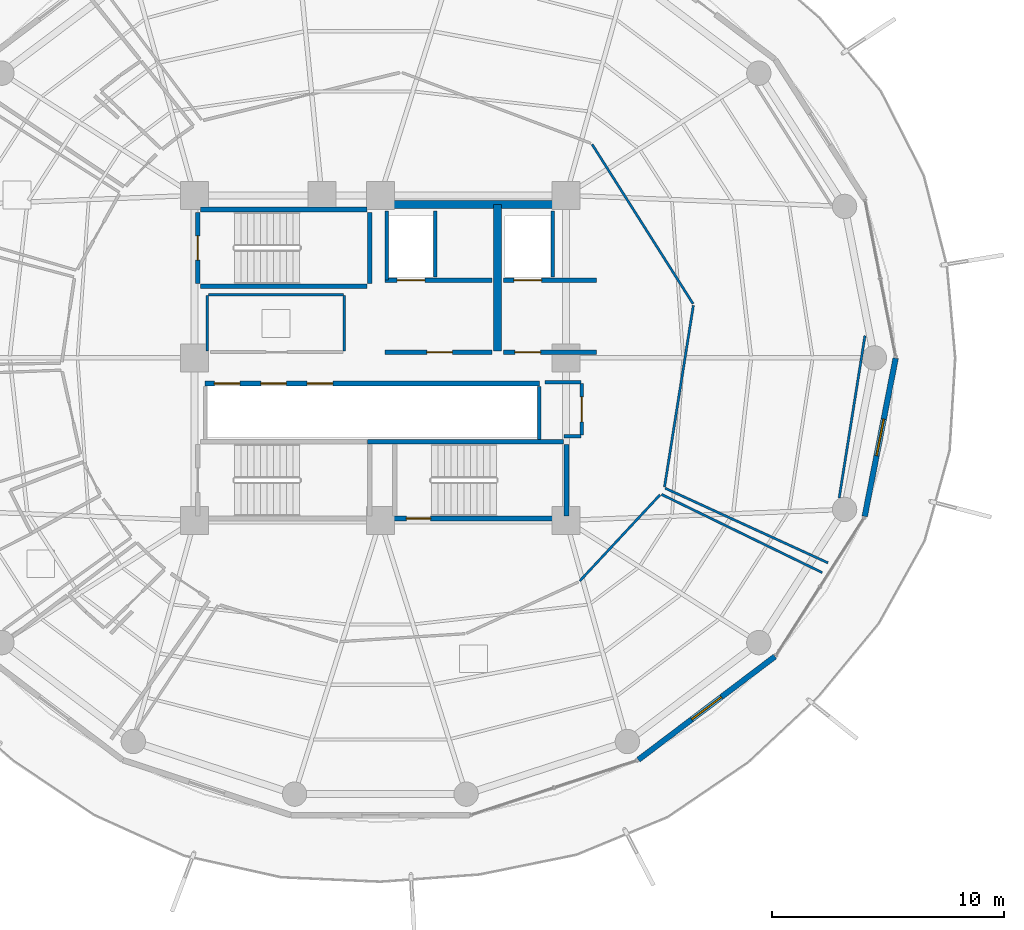
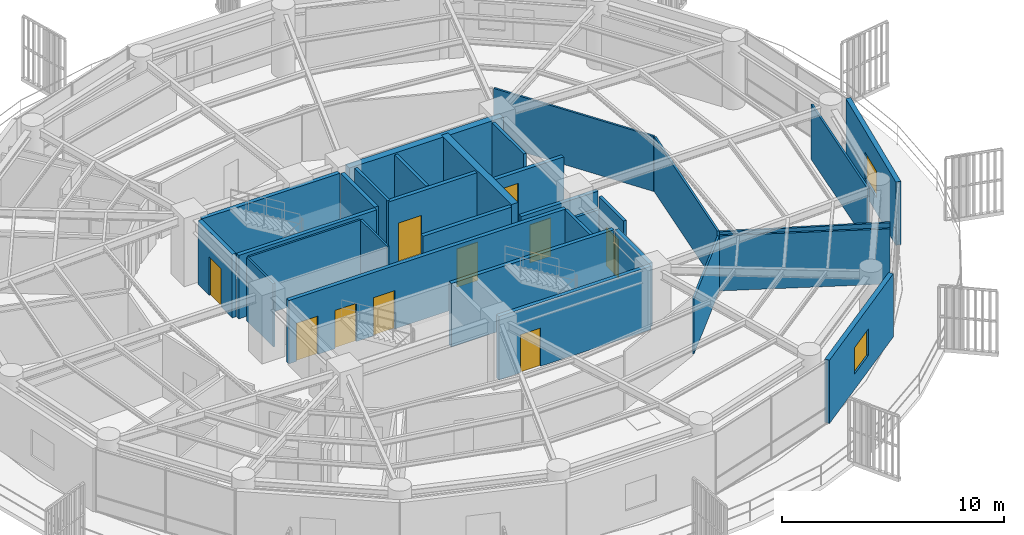
# One storey, part 24 of 30: 32 walls, 10 doors, 2 windows, 12 openings.
"""IFC4 building model written with IfcOpenShell, lengths in metres."""

from ifc_helpers import new_model, si_unit, direction, frame, frame_2d, origin, place, context, subcontext, project, spatial, rectangle, extrude, material, layer, layer_set, type_object, element, fill, save


model = new_model("IFC4")

# Units and contexts
model_context = context("Model", 3, precision=1e-05, world=origin(), true_north=direction((0.0, 1.0)))
body_context = subcontext(model_context, "Body", "Model", "MODEL_VIEW")
ifc_project = project(units=[si_unit("LENGTHUNIT", "METRE"), si_unit("AREAUNIT", "SQUARE_METRE"), si_unit("VOLUMEUNIT", "CUBIC_METRE"), si_unit("PLANEANGLEUNIT", "RADIAN"), si_unit("MASSUNIT", "GRAM", prefix="KILO")], contexts=[model_context])

# Site, building, storey
site_placement = place(None, origin())
site = spatial("IfcSite", under=ifc_project, at=site_placement, CompositionType="ELEMENT")
building_placement = place(site_placement, origin())
building = spatial("IfcBuilding", under=site, at=building_placement, Name="Kelanora Arch Commons", CompositionType="ELEMENT")
storey_placement = place(building_placement, frame((0.0, 0.0, 208.199951171875)))
storey = spatial("IfcBuildingStorey", under=building, at=storey_placement, Name="L53", CompositionType="ELEMENT", Elevation=208.199951171875)

# Walls
ifc_material_1 = material(Name="Autoclaved aerated concrete blockwork with fire plaster", Category="masonry")
ifc_layer_1 = layer(ifc_material_1, 0.14990234375)
ifc_layer_set_1 = layer_set([ifc_layer_1], Name="Autoclaved aerated concrete blockwork with fire plaster")
wall_type_1 = type_object("IfcWallType", Name="W-COMP-150", PredefinedType="PARTITIONING", material=ifc_layer_set_1)
wall_1_placement = place(storey_placement, frame((74.280029296875, 61.35009765625, 0.0), z_axis=(0.0, 0.0, 1.0), x_axis=(0.0, 1.0, 0.0)))
element("IfcWall", 1, at=wall_1_placement, inside=storey, type_object=wall_type_1, Name="Firefighting Lift 1 West Shaft Wall L53", PredefinedType="PARTITIONING", context=body_context, shape_type="SweptSolid", body=[
    extrude(rectangle(XDim=2.969970703125, YDim=0.14990234375, at=frame_2d((1.48486328125, 0.0))), origin(), (0.0, 0.0, 1.0), 3.47998046875),
])
for number, where, z_axis, x_axis, name in (
    (2, (76.360107421875, 61.47998046875, 0.0), (0.0, 0.0, 1.0), (0.0, 1.0, 0.0), "Firefighting Lift 1 East Shaft Wall L53"),
    (3, (81.419921875, 61.47998046875, 0.0), (0.0, 0.0, 1.0), (0.0, 1.0, 0.0), "Firefighting Lift 2 East Shaft Wall L53"),
):
    element("IfcWall", number, at=place(storey_placement, frame(where, z_axis=z_axis, x_axis=x_axis)), inside=storey, type_object=wall_type_1, Name=name, PredefinedType="PARTITIONING", context=body_context, shape_type="SweptSolid", body=[
        extrude(rectangle(XDim=2.840087890625, YDim=0.14990234375, at=frame_2d((1.419921875, 0.0))), origin(), (0.0, 0.0, 1.0), 3.47998046875),
    ])
wall_2_placement = place(storey_placement, frame((80.840087890625, 54.47998046875, 0.0), z_axis=(0.0, 0.0, 1.0), x_axis=(0.0, 1.0, 0.0)))
element("IfcWall", 4, at=wall_2_placement, inside=storey, type_object=wall_type_1, Name="South Lift Bank East Wall L53", PredefinedType="PARTITIONING", context=body_context, shape_type="SweptSolid", body=[
    extrude(rectangle(XDim=2.2900390625, YDim=0.14990234375, at=frame_2d((1.14501953125, 0.0))), origin(), (0.0, 0.0, 1.0), 3.47998046875),
])

# Wall, opening, door
wall_3_placement = place(storey_placement, frame((82.679931640625, 54.679931640625, 0.0), z_axis=(0.0, 0.0, 1.0), x_axis=(0.0, 1.0, 0.0)))
wall_3 = element("IfcWall", 5, at=wall_3_placement, inside=storey, type_object=wall_type_1, Name="Core Housekeeping Store L53 Entry Partition", PredefinedType="PARTITIONING", context=body_context, shape_type="SweptSolid", body=[
    extrude(rectangle(XDim=2.2099609375, YDim=0.14990234375, at=frame_2d((1.10498046875, 0.0))), origin(), (0.0, 0.0, 1.0), 3.47998046875),
])
opening_1_placement = place(wall_3_placement, frame((0.56494140625, 0.0, 0.0)))
opening_1 = element("IfcOpeningElement", 6, at=opening_1_placement, cuts=wall_3, Name="Opening D-PLT1", PredefinedType="OPENING", context=body_context, shape_type="SweptSolid", body=[
    extrude(rectangle(XDim=1.080078125, YDim=2.10009765625, at=frame_2d((0.5400390625, 1.050048828125))), frame((0.0, 0.0849609375, 0.0), z_axis=(0.0, -1.0, 0.0), x_axis=(1.0, 0.0, 0.0)), (0.0, 0.0, 1.0), 0.169921875),
])
ifc_material_2 = material(Name="Galvanised steel plant and riser fire door", Category="steel")
door_type_1 = type_object("IfcDoorType", Name="D-PLT-110", OperationType="NOTDEFINED", PredefinedType="DOOR", material=ifc_material_2)
door_1_placement = place(opening_1_placement, origin())
door_1 = element("IfcDoor", 7, at=door_1_placement, inside=storey, type_object=door_type_1, Name="Core Housekeeping Store L53 Door", OperationType="SINGLE_SWING_LEFT", OverallHeight=2.10009765625, OverallWidth=1.080078125, PredefinedType="DOOR", context=body_context, shape_type="SweptSolid", body=[
    extrude(rectangle(XDim=1.080078125, YDim=2.10009765625, at=frame_2d((0.5400390625, 1.050048828125))), frame((0.0, 0.02490234375, 0.0), z_axis=(0.0, -1.0, 0.0), x_axis=(1.0, 0.0, 0.0)), (0.0, 0.0, 1.0), 0.050048828125),
])
fill(opening_1, door_1)

# Walls
wall_4_placement = place(storey_placement, frame((81.89990234375, 54.6201171875, 0.0), z_axis=(0.0, 0.0, 1.0), x_axis=(1.0, 0.0, 0.0)))
element("IfcWall", 8, at=wall_4_placement, inside=storey, type_object=wall_type_1, Name="Core Housekeeping Store L53 Enclosure Partition 1", PredefinedType="PARTITIONING", context=body_context, shape_type="SweptSolid", body=[
    extrude(rectangle(XDim=0.739990234375, YDim=0.14990234375, at=frame_2d((0.3701171875, 0.0))), origin(), (0.0, 0.0, 1.0), 2.775146484375),
])
wall_5_placement = place(storey_placement, frame((82.639892578125, 56.949951171875, 0.0), z_axis=(0.0, 0.0, 1.0), x_axis=(-1.0, 0.0, 0.0)))
element("IfcWall", 9, at=wall_5_placement, inside=storey, type_object=wall_type_1, Name="Core Housekeeping Store L53 Enclosure Partition 3", PredefinedType="PARTITIONING", context=body_context, shape_type="SweptSolid", body=[
    extrude(rectangle(XDim=1.5498046875, YDim=0.14990234375, at=frame_2d((0.77490234375, 0.0))), origin(), (0.0, 0.0, 1.0), 2.775146484375),
])
ifc_material_3 = material(Name="Concrete C50/60", Category="concrete")
ifc_layer_2 = layer(ifc_material_3, 0.35009765625)
ifc_layer_set_2 = layer_set([ifc_layer_2], Name="Concrete C50/60")
wall_type_2 = type_object("IfcWallType", Name="W-CORE-350", PredefinedType="SHEAR", material=ifc_layer_set_2)
wall_6_placement = place(storey_placement, frame((74.0, 64.60009765625, 0.0), z_axis=(0.0, 0.0, 1.0), x_axis=(1.0, 0.0, 0.0)))
element("IfcWall", 10, at=wall_6_placement, inside=storey, type_object=wall_type_2, Name="Core Shear Spine L53-CN-E", PredefinedType="SHEAR", context=body_context, shape_type="SweptSolid", body=[
    extrude(rectangle(XDim=8.0, YDim=0.35009765625, at=frame_2d((4.0, 0.0))), origin(), (0.0, 0.0, 1.0), 3.489990234375),
])
wall_7_placement = place(storey_placement, frame((79.050048828125, 58.300048828125, 0.0), z_axis=(0.0, 0.0, 1.0), x_axis=(0.0, 1.0, 0.0)))
element("IfcWall", 11, at=wall_7_placement, inside=storey, type_object=wall_type_2, Name="Core Shear Spine L53-CE-N", PredefinedType="SHEAR", context=body_context, shape_type="SweptSolid", body=[
    extrude(rectangle(XDim=6.300048828125, YDim=0.35009765625, at=frame_2d((3.14990234375, 0.0))), origin(), (0.0, 0.0, 1.0), 3.489990234375),
])

# Wall, opening, window
ifc_material_4 = material(Name="Precast concrete C40/50 upper-zone terracotta rainscreen", Category="masonry")
ifc_layer_3 = layer(ifc_material_4, 0.239990234375)
ifc_layer_set_3 = layer_set([ifc_layer_3], Name="Precast concrete C40/50 upper-zone terracotta rainscreen")
wall_type_3 = type_object("IfcWallType", Name="W-EXT-TC2", PredefinedType="SOLIDWALL", material=ifc_layer_set_3)
wall_8_placement = place(storey_placement, frame((85.112060546875, 40.6884765625, 0.0), z_axis=(0.0, 0.0, 1.0), x_axis=(0.797701674595, 0.603052268338, 0.0)))
wall_8 = element("IfcWall", 12, at=wall_8_placement, inside=storey, type_object=wall_type_3, Name="Terracotta Exterior Wall L53-B15", PredefinedType="SOLIDWALL", context=body_context, shape_type="SweptSolid", body=[
    extrude(rectangle(XDim=7.373779296875, YDim=0.239990234375, at=frame_2d((3.68701171875, 0.0))), origin(), (0.0, 0.0, 1.0), 3.47509765625),
])
opening_2_placement = place(wall_8_placement, frame((2.886962890625, 0.0, 0.85009765625)))
opening_2 = element("IfcOpeningElement", 13, at=opening_2_placement, cuts=wall_8, Name="Opening WN-01", PredefinedType="OPENING", context=body_context, shape_type="SweptSolid", body=[
    extrude(rectangle(XDim=1.60009765625, YDim=1.449951171875, at=frame_2d((0.800048828125, 0.72509765625))), frame((0.0, 0.1298828125, 0.0), z_axis=(0.0, -1.0, 0.0), x_axis=(1.0, 0.0, 0.0)), (0.0, 0.0, 1.0), 0.260009765625),
])
ifc_material_5 = material(Name="Terracotta-anodised aluminium frame with operable low-E glazing", Category="masonry")
window_type = type_object("IfcWindowType", Name="WIN-CL-18", PartitioningType="DOUBLE_PANEL_VERTICAL", PredefinedType="WINDOW", material=ifc_material_5)
window_1_placement = place(opening_2_placement, origin())
window_1 = element("IfcWindow", 14, at=window_1_placement, inside=storey, type_object=window_type, Name="Co-Living Operable Window L53-B15", OverallHeight=1.449951171875, OverallWidth=1.60009765625, PartitioningType="SINGLE_PANEL", PredefinedType="WINDOW", context=body_context, shape_type="SweptSolid", body=[
    extrude(rectangle(XDim=1.60009765625, YDim=1.449951171875, at=frame_2d((0.800048828125, 0.72509765625))), frame((0.0, 0.030029296875, 0.0), z_axis=(0.0, -1.0, 0.0), x_axis=(1.0, 0.0, 0.0)), (0.0, 0.0, 1.0), 0.06005859375),
])
fill(opening_2, window_1)

wall_9_placement = place(storey_placement, frame((94.864013671875, 51.17431640625, 0.0), z_axis=(0.0, 0.0, 1.0), x_axis=(0.192069055673, 0.981381413036, 0.0)))
wall_9 = element("IfcWall", 15, at=wall_9_placement, inside=storey, type_object=wall_type_3, Name="Terracotta Exterior Wall L53-B17", PredefinedType="SOLIDWALL", context=body_context, shape_type="SweptSolid", body=[
    extrude(rectangle(XDim=6.940185546875, YDim=0.239990234375, at=frame_2d((3.47021484375, 0.0))), origin(), (0.0, 0.0, 1.0), 3.47509765625),
])
opening_3_placement = place(wall_9_placement, frame((2.669921875, 0.0, 0.85009765625)))
opening_3 = element("IfcOpeningElement", 16, at=opening_3_placement, cuts=wall_9, Name="Opening WN-01", PredefinedType="OPENING", context=body_context, shape_type="SweptSolid", body=[
    extrude(rectangle(XDim=1.60009765625, YDim=1.449951171875, at=frame_2d((0.800048828125, 0.72509765625))), frame((0.0, 0.1298828125, 0.0), z_axis=(0.0, -1.0, 0.0), x_axis=(1.0, 0.0, 0.0)), (0.0, 0.0, 1.0), 0.260009765625),
])
window_2_placement = place(opening_3_placement, origin())
window_2 = element("IfcWindow", 17, at=window_2_placement, inside=storey, type_object=window_type, Name="Co-Living Operable Window L53-B17", OverallHeight=1.449951171875, OverallWidth=1.60009765625, PartitioningType="SINGLE_PANEL", PredefinedType="WINDOW", context=body_context, shape_type="SweptSolid", body=[
    extrude(rectangle(XDim=1.60009765625, YDim=1.449951171875, at=frame_2d((0.800048828125, 0.72509765625))), frame((0.0, 0.030029296875, 0.0), z_axis=(0.0, -1.0, 0.0), x_axis=(1.0, 0.0, 0.0)), (0.0, 0.0, 1.0), 0.06005859375),
])
fill(opening_3, window_2)

# Wall, opening, door
ifc_material_6 = material(Name="Concrete C40/50", Category="concrete")
ifc_layer_4 = layer(ifc_material_6, 0.199951171875)
ifc_layer_set_4 = layer_set([ifc_layer_4], Name="Concrete C40/50")
wall_type_4 = type_object("IfcWallType", Name="W-FFL-200", PredefinedType="SOLIDWALL", material=ifc_layer_set_4)
wall_10_placement = place(storey_placement, frame((74.199951171875, 61.35009765625, 0.0), z_axis=(0.0, 0.0, 1.0), x_axis=(1.0, 0.0, 0.0)))
wall_10 = element("IfcWall", 18, at=wall_10_placement, inside=storey, type_object=wall_type_4, Name="Firefighting Lift 1 Shaft Front L53", PredefinedType="SOLIDWALL", context=body_context, shape_type="SweptSolid", body=[
    extrude(rectangle(XDim=4.60009765625, YDim=0.199951171875, at=frame_2d((2.300048828125, 0.0))), origin(), (0.0, 0.0, 1.0), 3.47998046875),
])
opening_4_placement = place(wall_10_placement, frame((0.52001953125, 0.0, 0.0)))
opening_4 = element("IfcOpeningElement", 19, at=opening_4_placement, cuts=wall_10, Name="Opening LD-FF", PredefinedType="OPENING", context=body_context, shape_type="SweptSolid", body=[
    extrude(rectangle(XDim=1.199951171875, YDim=2.14990234375, at=frame_2d((0.60009765625, 1.074951171875))), frame((0.0, 0.10986328125, 0.0), z_axis=(0.0, -1.0, 0.0), x_axis=(1.0, 0.0, 0.0)), (0.0, 0.0, 1.0), 0.219970703125),
])
ifc_material_7 = material(Name="Fire-rated firefighters lift sliding landing door")
door_type_2 = type_object("IfcDoorType", Name="D-LIFT-FF", OperationType="NOTDEFINED", PredefinedType="DOOR", material=ifc_material_7)
door_2_placement = place(opening_4_placement, origin())
door_2 = element("IfcDoor", 20, at=door_2_placement, inside=storey, type_object=door_type_2, Name="Firefighting Lift LF-FF1 Landing Door L53", OperationType="DOUBLE_DOOR_SLIDING", OverallHeight=2.14990234375, OverallWidth=1.199951171875, PredefinedType="DOOR", context=body_context, shape_type="SweptSolid", body=[
    extrude(rectangle(XDim=1.199951171875, YDim=2.14990234375, at=frame_2d((0.60009765625, 1.074951171875))), frame((0.0, 0.02490234375, 0.0), z_axis=(0.0, -1.0, 0.0), x_axis=(1.0, 0.0, 0.0)), (0.0, 0.0, 1.0), 0.050048828125),
])
fill(opening_4, door_2)

wall_11_placement = place(storey_placement, frame((79.300048828125, 61.35009765625, 0.0), z_axis=(0.0, 0.0, 1.0), x_axis=(1.0, 0.0, 0.0)))
wall_11 = element("IfcWall", 21, at=wall_11_placement, inside=storey, type_object=wall_type_4, Name="Firefighting Lift 2 Shaft Front L53", PredefinedType="SOLIDWALL", context=body_context, shape_type="SweptSolid", body=[
    extrude(rectangle(XDim=4.0, YDim=0.199951171875, at=frame_2d((2.0, 0.0))), origin(), (0.0, 0.0, 1.0), 2.775146484375),
])
opening_5_placement = place(wall_11_placement, frame((0.449951171875, 0.0, 0.0)))
opening_5 = element("IfcOpeningElement", 22, at=opening_5_placement, cuts=wall_11, Name="Opening LD-FF", PredefinedType="OPENING", context=body_context, shape_type="SweptSolid", body=[
    extrude(rectangle(XDim=1.199951171875, YDim=2.14990234375, at=frame_2d((0.60009765625, 1.074951171875))), frame((0.0, 0.10986328125, 0.0), z_axis=(0.0, -1.0, 0.0), x_axis=(1.0, 0.0, 0.0)), (0.0, 0.0, 1.0), 0.219970703125),
])
door_3_placement = place(opening_5_placement, origin())
door_3 = element("IfcDoor", 23, at=door_3_placement, inside=storey, type_object=door_type_2, Name="Firefighting Lift LF-FF2 Landing Door L53", OperationType="DOUBLE_DOOR_SLIDING", OverallHeight=2.14990234375, OverallWidth=1.199951171875, PredefinedType="DOOR", context=body_context, shape_type="SweptSolid", body=[
    extrude(rectangle(XDim=1.199951171875, YDim=2.14990234375, at=frame_2d((0.60009765625, 1.074951171875))), frame((0.0, 0.02490234375, 0.0), z_axis=(0.0, -1.0, 0.0), x_axis=(1.0, 0.0, 0.0)), (0.0, 0.0, 1.0), 0.050048828125),
])
fill(opening_5, door_3)

wall_12_placement = place(storey_placement, frame((74.199951171875, 58.25, 0.0), z_axis=(0.0, 0.0, 1.0), x_axis=(1.0, 0.0, 0.0)))
wall_12 = element("IfcWall", 24, at=wall_12_placement, inside=storey, type_object=wall_type_4, Name="Firefighting Lobby 1 Enclosure Wall L53", PredefinedType="SOLIDWALL", context=body_context, shape_type="SweptSolid", body=[
    extrude(rectangle(XDim=4.60009765625, YDim=0.199951171875, at=frame_2d((2.300048828125, 0.0))), origin(), (0.0, 0.0, 1.0), 3.47998046875),
])
opening_6_placement = place(wall_12_placement, frame((1.800048828125, 0.0, 0.0)))
opening_6 = element("IfcOpeningElement", 25, at=opening_6_placement, cuts=wall_12, Name="Opening D-FFL1", PredefinedType="OPENING", context=body_context, shape_type="SweptSolid", body=[
    extrude(rectangle(XDim=1.10009765625, YDim=2.10009765625, at=frame_2d((0.550048828125, 1.050048828125))), frame((0.0, 0.10986328125, 0.0), z_axis=(0.0, -1.0, 0.0), x_axis=(1.0, 0.0, 0.0)), (0.0, 0.0, 1.0), 0.219970703125),
])
ifc_material_8 = material(Name="Smoke-sealed firefighting lobby fire door")
door_type_3 = type_object("IfcDoorType", Name="D-FFL-110", OperationType="NOTDEFINED", PredefinedType="DOOR", material=ifc_material_8)
door_4_placement = place(opening_6_placement, frame((1.10009765625, 0.0, 0.0), z_axis=(0.0, 0.0, 1.0), x_axis=(-1.0, 0.0, 0.0)))
door_4 = element("IfcDoor", 26, at=door_4_placement, inside=storey, type_object=door_type_3, Name="Firefighting Lobby 1 Door L53", OperationType="SINGLE_SWING_LEFT", OverallHeight=2.10009765625, OverallWidth=1.10009765625, PredefinedType="DOOR", context=body_context, shape_type="SweptSolid", body=[
    extrude(rectangle(XDim=1.10009765625, YDim=2.10009765625, at=frame_2d((0.550048828125, 1.050048828125))), frame((0.0, 0.02490234375, 0.0), z_axis=(0.0, -1.0, 0.0), x_axis=(1.0, 0.0, 0.0)), (0.0, 0.0, 1.0), 0.050048828125),
])
fill(opening_6, door_4)

wall_13_placement = place(storey_placement, frame((79.300048828125, 58.25, 0.0), z_axis=(0.0, 0.0, 1.0), x_axis=(1.0, 0.0, 0.0)))
wall_13 = element("IfcWall", 27, at=wall_13_placement, inside=storey, type_object=wall_type_4, Name="Firefighting Lobby 2 Enclosure Wall L53", PredefinedType="SOLIDWALL", context=body_context, shape_type="SweptSolid", body=[
    extrude(rectangle(XDim=4.0, YDim=0.199951171875, at=frame_2d((2.0, 0.0))), origin(), (0.0, 0.0, 1.0), 2.775146484375),
])
opening_7_placement = place(wall_13_placement, frame((0.5, 0.0, 0.0)))
opening_7 = element("IfcOpeningElement", 28, at=opening_7_placement, cuts=wall_13, Name="Opening D-FFL1", PredefinedType="OPENING", context=body_context, shape_type="SweptSolid", body=[
    extrude(rectangle(XDim=1.10009765625, YDim=2.10009765625, at=frame_2d((0.550048828125, 1.050048828125))), frame((0.0, 0.10986328125, 0.0), z_axis=(0.0, -1.0, 0.0), x_axis=(1.0, 0.0, 0.0)), (0.0, 0.0, 1.0), 0.219970703125),
])
door_5_placement = place(opening_7_placement, frame((1.10009765625, 0.0, 0.0), z_axis=(0.0, 0.0, 1.0), x_axis=(-1.0, 0.0, 0.0)))
door_5 = element("IfcDoor", 29, at=door_5_placement, inside=storey, type_object=door_type_3, Name="Firefighting Lobby 2 Door L53", OperationType="SINGLE_SWING_RIGHT", OverallHeight=2.10009765625, OverallWidth=1.10009765625, PredefinedType="DOOR", context=body_context, shape_type="SweptSolid", body=[
    extrude(rectangle(XDim=1.10009765625, YDim=2.10009765625, at=frame_2d((0.550048828125, 1.050048828125))), frame((0.0, 0.02490234375, 0.0), z_axis=(0.0, -1.0, 0.0), x_axis=(1.0, 0.0, 0.0)), (0.0, 0.0, 1.0), 0.050048828125),
])
fill(opening_7, door_5)

# Wall, openings, doors
wall_14_placement = place(storey_placement, frame((66.449951171875, 56.89990234375, 0.0), z_axis=(0.0, 0.0, 1.0), x_axis=(1.0, 0.0, 0.0)))
wall_14 = element("IfcWall", 30, at=wall_14_placement, inside=storey, type_object=wall_type_4, Name="Mid/High/Express Lift Shaft Front L53", PredefinedType="SOLIDWALL", context=body_context, shape_type="SweptSolid", body=[
    extrude(rectangle(XDim=14.400146484375, YDim=0.199951171875, at=frame_2d((7.2001953125, 0.0))), origin(), (0.0, 0.0, 1.0), 3.47998046875),
])
opening_8_placement = place(wall_14_placement, frame((0.39990234375, 0.0, 0.0)))
opening_8 = element("IfcOpeningElement", 31, at=opening_8_placement, cuts=wall_14, Name="Opening LD-01", PredefinedType="OPENING", context=body_context, shape_type="SweptSolid", body=[
    extrude(rectangle(XDim=1.10009765625, YDim=2.10009765625, at=frame_2d((0.550048828125, 1.050048828125))), frame((0.0, 0.10986328125, 0.0), z_axis=(0.0, -1.0, 0.0), x_axis=(1.0, 0.0, 0.0)), (0.0, 0.0, 1.0), 0.219970703125),
])
opening_9_placement = place(wall_14_placement, frame((2.39990234375, 0.0, 0.0)))
opening_9 = element("IfcOpeningElement", 32, at=opening_9_placement, cuts=wall_14, Name="Opening LD-01", PredefinedType="OPENING", context=body_context, shape_type="SweptSolid", body=[
    extrude(rectangle(XDim=1.10009765625, YDim=2.10009765625, at=frame_2d((0.550048828125, 1.050048828125))), frame((0.0, 0.10986328125, 0.0), z_axis=(0.0, -1.0, 0.0), x_axis=(1.0, 0.0, 0.0)), (0.0, 0.0, 1.0), 0.219970703125),
])
opening_10_placement = place(wall_14_placement, frame((4.39990234375, 0.0, 0.0)))
opening_10 = element("IfcOpeningElement", 33, at=opening_10_placement, cuts=wall_14, Name="Opening LD-01", PredefinedType="OPENING", context=body_context, shape_type="SweptSolid", body=[
    extrude(rectangle(XDim=1.10009765625, YDim=2.10009765625, at=frame_2d((0.550048828125, 1.050048828125))), frame((0.0, 0.10986328125, 0.0), z_axis=(0.0, -1.0, 0.0), x_axis=(1.0, 0.0, 0.0)), (0.0, 0.0, 1.0), 0.219970703125),
])
ifc_material_9 = material(Name="Stainless steel passenger lift sliding landing door", Category="steel")
door_type_4 = type_object("IfcDoorType", Name="D-LIFT-110", OperationType="NOTDEFINED", PredefinedType="DOOR", material=ifc_material_9)
door_6_placement = place(opening_8_placement, origin())
door_6 = element("IfcDoor", 34, at=door_6_placement, inside=storey, type_object=door_type_4, Name="Passenger Lift LF-P4 Landing Door L53", OperationType="DOUBLE_DOOR_SLIDING", OverallHeight=2.10009765625, OverallWidth=1.10009765625, PredefinedType="DOOR", context=body_context, shape_type="SweptSolid", body=[
    extrude(rectangle(XDim=1.10009765625, YDim=2.10009765625, at=frame_2d((0.550048828125, 1.050048828125))), frame((0.0, 0.02490234375, 0.0), z_axis=(0.0, -1.0, 0.0), x_axis=(1.0, 0.0, 0.0)), (0.0, 0.0, 1.0), 0.050048828125),
])
fill(opening_8, door_6)
door_7_placement = place(opening_9_placement, origin())
door_7 = element("IfcDoor", 35, at=door_7_placement, inside=storey, type_object=door_type_4, Name="Passenger Lift LF-P5 Landing Door L53", OperationType="DOUBLE_DOOR_SLIDING", OverallHeight=2.10009765625, OverallWidth=1.10009765625, PredefinedType="DOOR", context=body_context, shape_type="SweptSolid", body=[
    extrude(rectangle(XDim=1.10009765625, YDim=2.10009765625, at=frame_2d((0.550048828125, 1.050048828125))), frame((0.0, 0.02490234375, 0.0), z_axis=(0.0, -1.0, 0.0), x_axis=(1.0, 0.0, 0.0)), (0.0, 0.0, 1.0), 0.050048828125),
])
fill(opening_9, door_7)
door_8_placement = place(opening_10_placement, origin())
door_8 = element("IfcDoor", 36, at=door_8_placement, inside=storey, type_object=door_type_4, Name="Passenger Lift LF-P6 Landing Door L53", OperationType="DOUBLE_DOOR_SLIDING", OverallHeight=2.10009765625, OverallWidth=1.10009765625, PredefinedType="DOOR", context=body_context, shape_type="SweptSolid", body=[
    extrude(rectangle(XDim=1.10009765625, YDim=2.10009765625, at=frame_2d((0.550048828125, 1.050048828125))), frame((0.0, 0.02490234375, 0.0), z_axis=(0.0, -1.0, 0.0), x_axis=(1.0, 0.0, 0.0)), (0.0, 0.0, 1.0), 0.050048828125),
])
fill(opening_10, door_8)

# Walls
ifc_material_10 = material(Name="Lightweight fire-rated acoustic stud partition")
ifc_layer_5 = layer(ifc_material_10, 0.10009765625)
ifc_layer_set_5 = layer_set([ifc_layer_5], Name="Lightweight fire-rated acoustic stud partition")
wall_type_5 = type_object("IfcWallType", Name="W-PART-100", PredefinedType="PARTITIONING", material=ifc_layer_set_5)
wall_15_placement = place(storey_placement, frame((72.449951171875, 58.2900390625, 0.0), z_axis=(0.0, 0.0, 1.0), x_axis=(0.0, 1.0, 0.0)))
element("IfcWall", 37, at=wall_15_placement, inside=storey, type_object=wall_type_5, Name="Reclaimed Core Study Pod Lounge L53 Enclosure Partition 2", PredefinedType="PARTITIONING", context=body_context, shape_type="SweptSolid", body=[
    extrude(rectangle(XDim=2.389892578125, YDim=0.10009765625, at=frame_2d((1.19482421875, 0.0))), origin(), (0.0, 0.0, 1.0), 3.47998046875),
])
wall_16_placement = place(storey_placement, frame((72.409912109375, 60.719970703125, 0.0), z_axis=(0.0, 0.0, 1.0), x_axis=(-1.0, 0.0, 0.0)))
element("IfcWall", 38, at=wall_16_placement, inside=storey, type_object=wall_type_5, Name="Reclaimed Core Study Pod Lounge L53 Enclosure Partition 3", PredefinedType="PARTITIONING", context=body_context, shape_type="SweptSolid", body=[
    extrude(rectangle(XDim=5.81982421875, YDim=0.10009765625, at=frame_2d((2.909912109375, 0.0))), origin(), (0.0, 0.0, 1.0), 3.47998046875),
])
wall_17_placement = place(storey_placement, frame((66.550048828125, 60.679931640625, 0.0), z_axis=(0.0, 0.0, 1.0), x_axis=(0.0, -1.0, 0.0)))
element("IfcWall", 39, at=wall_17_placement, inside=storey, type_object=wall_type_5, Name="Reclaimed Core Study Pod Lounge L53 Enclosure Partition 4", PredefinedType="PARTITIONING", context=body_context, shape_type="SweptSolid", body=[
    extrude(rectangle(XDim=2.383056640625, YDim=0.10009765625, at=frame_2d((1.19140625, 0.0))), origin(), (0.0, 0.0, 1.0), 3.47998046875),
])
wall_18_placement = place(storey_placement, frame((82.58837890625, 48.389404296875, 0.0), z_axis=(0.0, 0.0, 1.0), x_axis=(0.68157475052, 0.731748494671, 0.0)))
element("IfcWall", 40, at=wall_18_placement, inside=storey, type_object=wall_type_5, Name="South-East Shared Study Commons L53 Enclosure Partition 4", PredefinedType="PARTITIONING", context=body_context, shape_type="SweptSolid", body=[
    extrude(rectangle(XDim=5.080078125, YDim=0.10009765625, at=frame_2d((2.5400390625, 0.0))), origin(), (0.0, 0.0, 1.0), 3.025146484375),
])
wall_19_placement = place(storey_placement, frame((86.114013671875, 52.118408203125, 0.0), z_axis=(0.0, 0.0, 1.0), x_axis=(0.899283988658, -0.437365188078, 0.0)))
element("IfcWall", 41, at=wall_19_placement, inside=storey, type_object=wall_type_5, Name="South-East Shared Study Commons L53 Enclosure Partition 5", PredefinedType="PARTITIONING", context=body_context, shape_type="SweptSolid", body=[
    extrude(rectangle(XDim=7.696044921875, YDim=0.10009765625, at=frame_2d((3.84814453125, 0.0))), origin(), (0.0, 0.0, 1.0), 3.025146484375),
])
wall_20_placement = place(storey_placement, frame((86.240234375, 52.44140625, 0.0), z_axis=(0.0, 0.0, 1.0), x_axis=(0.156928440611, 0.987609975915, 0.0)))
element("IfcWall", 42, at=wall_20_placement, inside=storey, type_object=wall_type_5, Name="North-East Shared Cluster Kitchen L53 Enclosure Partition 1", PredefinedType="PARTITIONING", context=body_context, shape_type="SweptSolid", body=[
    extrude(rectangle(XDim=7.917236328125, YDim=0.10009765625, at=frame_2d((3.95849609375, 0.0))), origin(), (0.0, 0.0, 1.0), 3.025146484375),
])
wall_21_placement = place(storey_placement, frame((87.467529296875, 60.333740234375, 0.0), z_axis=(0.0, 0.0, 1.0), x_axis=(-0.534944175276, 0.844887406308, 0.0)))
element("IfcWall", 43, at=wall_21_placement, inside=storey, type_object=wall_type_5, Name="North-East Shared Cluster Kitchen L53 Enclosure Partition 2", PredefinedType="PARTITIONING", context=body_context, shape_type="SweptSolid", body=[
    extrude(rectangle(XDim=8.128173828125, YDim=0.10009765625, at=frame_2d((4.06396484375, 0.0))), origin(), (0.0, 0.0, 1.0), 3.025146484375),
])
wall_22_placement = place(storey_placement, frame((94.8740234375, 58.952880859375, 0.0), z_axis=(0.0, 0.0, 1.0), x_axis=(-0.156966500415, -0.987603927568, 0.0)))
element("IfcWall", 44, at=wall_22_placement, inside=storey, type_object=wall_type_5, Name="North-East Shared Cluster Kitchen L53 Enclosure Partition 9", PredefinedType="PARTITIONING", context=body_context, shape_type="SweptSolid", body=[
    extrude(rectangle(XDim=7.067626953125, YDim=0.10009765625, at=frame_2d((3.53369140625, 0.0))), origin(), (0.0, 0.0, 1.0), 3.025146484375),
])
wall_23_placement = place(storey_placement, frame((93.280517578125, 49.172607421875, 0.0), z_axis=(0.0, 0.0, 1.0), x_axis=(-0.909078313488, 0.416625275213, 0.0)))
element("IfcWall", 45, at=wall_23_placement, inside=storey, type_object=wall_type_5, Name="North-East Shared Cluster Kitchen L53 Enclosure Partition 10", PredefinedType="PARTITIONING", context=body_context, shape_type="SweptSolid", body=[
    extrude(rectangle(XDim=7.711181640625, YDim=0.10009765625, at=frame_2d((3.85546875, 0.0))), origin(), (0.0, 0.0, 1.0), 3.025146484375),
])
ifc_layer_6 = layer(ifc_material_6, 0.199951171875)
ifc_layer_set_6 = layer_set([ifc_layer_6], Name="Concrete C40/50")
wall_type_6 = type_object("IfcWallType", Name="W-STAIR-200", PredefinedType="SHEAR", material=ifc_layer_set_6)
wall_24_placement = place(storey_placement, frame((66.260009765625, 61.080078125, 0.0), z_axis=(0.0, 0.0, 1.0), x_axis=(1.0, 0.0, 0.0)))
element("IfcWall", 46, at=wall_24_placement, inside=storey, type_object=wall_type_6, Name="Stair ST-T1 Shaft Wall S L53", PredefinedType="SHEAR", context=body_context, shape_type="SweptSolid", body=[
    extrude(rectangle(XDim=7.159912109375, YDim=0.199951171875, at=frame_2d((3.580078125, 0.0))), origin(), (0.0, 0.0, 1.0), 3.489990234375),
])
wall_25_placement = place(storey_placement, frame((73.5400390625, 61.199951171875, 0.0), z_axis=(0.0, 0.0, 1.0), x_axis=(0.0, 1.0, 0.0)))
element("IfcWall", 47, at=wall_25_placement, inside=storey, type_object=wall_type_6, Name="Stair ST-T1 Shaft Wall E L53", PredefinedType="SHEAR", context=body_context, shape_type="SweptSolid", body=[
    extrude(rectangle(XDim=3.070068359375, YDim=0.199951171875, at=frame_2d((1.53515625, 0.0))), origin(), (0.0, 0.0, 1.0), 3.489990234375),
])
wall_26_placement = place(storey_placement, frame((73.419921875, 64.389892578125, 0.0), z_axis=(0.0, 0.0, 1.0), x_axis=(-1.0, 0.0, 0.0)))
element("IfcWall", 48, at=wall_26_placement, inside=storey, type_object=wall_type_6, Name="Stair ST-T1 Shaft Wall N L53", PredefinedType="SHEAR", context=body_context, shape_type="SweptSolid", body=[
    extrude(rectangle(XDim=7.159912109375, YDim=0.199951171875, at=frame_2d((3.580078125, 0.0))), origin(), (0.0, 0.0, 1.0), 3.489990234375),
])

# Wall, opening, door
wall_27_placement = place(storey_placement, frame((66.139892578125, 64.27001953125, 0.0), z_axis=(0.0, 0.0, 1.0), x_axis=(0.0, -1.0, 0.0)))
wall_27 = element("IfcWall", 49, at=wall_27_placement, inside=storey, type_object=wall_type_6, Name="Stair ST-T1 Shaft Wall W L53", PredefinedType="SHEAR", context=body_context, shape_type="SweptSolid", body=[
    extrude(rectangle(XDim=3.070068359375, YDim=0.199951171875, at=frame_2d((1.53515625, 0.0))), origin(), (0.0, 0.0, 1.0), 3.489990234375),
])
opening_11_placement = place(wall_27_placement, frame((1.010009765625, 0.0, 0.0)))
opening_11 = element("IfcOpeningElement", 50, at=opening_11_placement, cuts=wall_27, Name="Opening D-ST1", PredefinedType="OPENING", context=body_context, shape_type="SweptSolid", body=[
    extrude(rectangle(XDim=1.050048828125, YDim=2.10009765625, at=frame_2d((0.52490234375, 1.050048828125))), frame((0.0, 0.10986328125, 0.0), z_axis=(0.0, -1.0, 0.0), x_axis=(1.0, 0.0, 0.0)), (0.0, 0.0, 1.0), 0.219970703125),
])
ifc_material_11 = material(Name="Steel fire-rated stairwell escape door", Category="steel")
door_type_5 = type_object("IfcDoorType", Name="D-STAIR-110", OperationType="NOTDEFINED", PredefinedType="DOOR", material=ifc_material_11)
door_9_placement = place(opening_11_placement, origin())
door_9 = element("IfcDoor", 51, at=door_9_placement, inside=storey, type_object=door_type_5, Name="Stair ST-T1 Escape Door L53", OperationType="SINGLE_SWING_LEFT", OverallHeight=2.10009765625, OverallWidth=1.050048828125, PredefinedType="DOOR", context=body_context, shape_type="SweptSolid", body=[
    extrude(rectangle(XDim=1.050048828125, YDim=2.10009765625, at=frame_2d((0.52490234375, 1.050048828125))), frame((0.0, 0.02490234375, 0.0), z_axis=(0.0, -1.0, 0.0), x_axis=(1.0, 0.0, 0.0)), (0.0, 0.0, 1.0), 0.050048828125),
])
fill(opening_11, door_9)

wall_28_placement = place(storey_placement, frame((74.0, 51.080078125, 0.0), z_axis=(0.0, 0.0, 1.0), x_axis=(1.0, 0.0, 0.0)))
wall_28 = element("IfcWall", 52, at=wall_28_placement, inside=storey, type_object=wall_type_6, Name="Stair ST-T2 Shaft Wall S L53", PredefinedType="SHEAR", context=body_context, shape_type="SweptSolid", body=[
    extrude(rectangle(XDim=7.89990234375, YDim=0.199951171875, at=frame_2d((3.949951171875, 0.0))), origin(), (0.0, 0.0, 1.0), 3.489990234375),
])
opening_12_placement = place(wall_28_placement, frame((1.1201171875, 0.0, 0.0)))
opening_12 = element("IfcOpeningElement", 53, at=opening_12_placement, cuts=wall_28, Name="Opening D-ST1", PredefinedType="OPENING", context=body_context, shape_type="SweptSolid", body=[
    extrude(rectangle(XDim=1.050048828125, YDim=2.10009765625, at=frame_2d((0.52490234375, 1.050048828125))), frame((0.0, 0.10986328125, 0.0), z_axis=(0.0, -1.0, 0.0), x_axis=(1.0, 0.0, 0.0)), (0.0, 0.0, 1.0), 0.219970703125),
])
door_10_placement = place(opening_12_placement, origin())
door_10 = element("IfcDoor", 54, at=door_10_placement, inside=storey, type_object=door_type_5, Name="Stair ST-T2 Escape Door L53", OperationType="SINGLE_SWING_LEFT", OverallHeight=2.10009765625, OverallWidth=1.050048828125, PredefinedType="DOOR", context=body_context, shape_type="SweptSolid", body=[
    extrude(rectangle(XDim=1.050048828125, YDim=2.10009765625, at=frame_2d((0.52490234375, 1.050048828125))), frame((0.0, 0.02490234375, 0.0), z_axis=(0.0, -1.0, 0.0), x_axis=(1.0, 0.0, 0.0)), (0.0, 0.0, 1.0), 0.050048828125),
])
fill(opening_12, door_10)

# Walls
wall_29_placement = place(storey_placement, frame((82.02001953125, 51.199951171875, 0.0), z_axis=(0.0, 0.0, 1.0), x_axis=(0.0, 1.0, 0.0)))
element("IfcWall", 55, at=wall_29_placement, inside=storey, type_object=wall_type_6, Name="Stair ST-T2 Shaft Wall E L53", PredefinedType="SHEAR", context=body_context, shape_type="SweptSolid", body=[
    extrude(rectangle(XDim=3.070068359375, YDim=0.199951171875, at=frame_2d((1.53515625, 0.0))), origin(), (0.0, 0.0, 1.0), 3.489990234375),
])
wall_30_placement = place(storey_placement, frame((81.89990234375, 54.389892578125, 0.0), z_axis=(0.0, 0.0, 1.0), x_axis=(-1.0, 0.0, 0.0)))
element("IfcWall", 56, at=wall_30_placement, inside=storey, type_object=wall_type_6, Name="Stair ST-T2 Shaft Wall N L53", PredefinedType="SHEAR", context=body_context, shape_type="SweptSolid", body=[
    extrude(rectangle(XDim=8.4599609375, YDim=0.199951171875, at=frame_2d((4.22998046875, 0.0))), origin(), (0.0, 0.0, 1.0), 3.489990234375),
])

save(model, "model.ifc")
